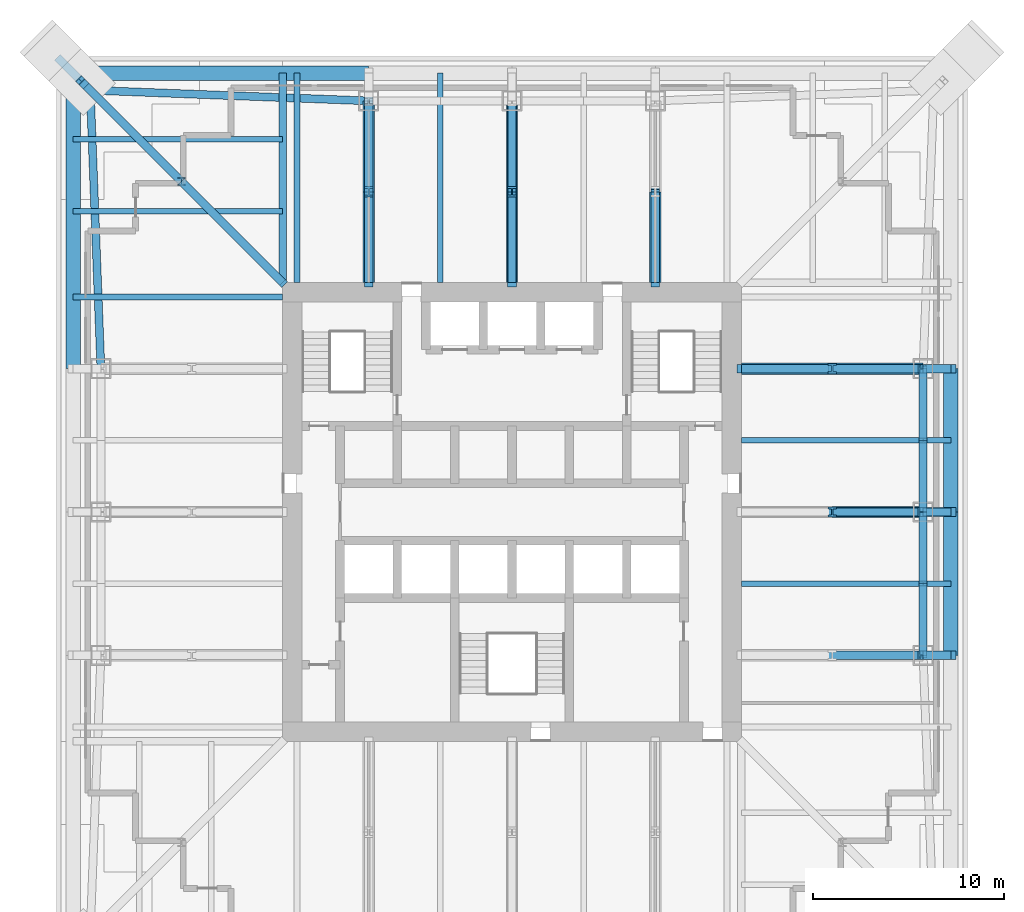
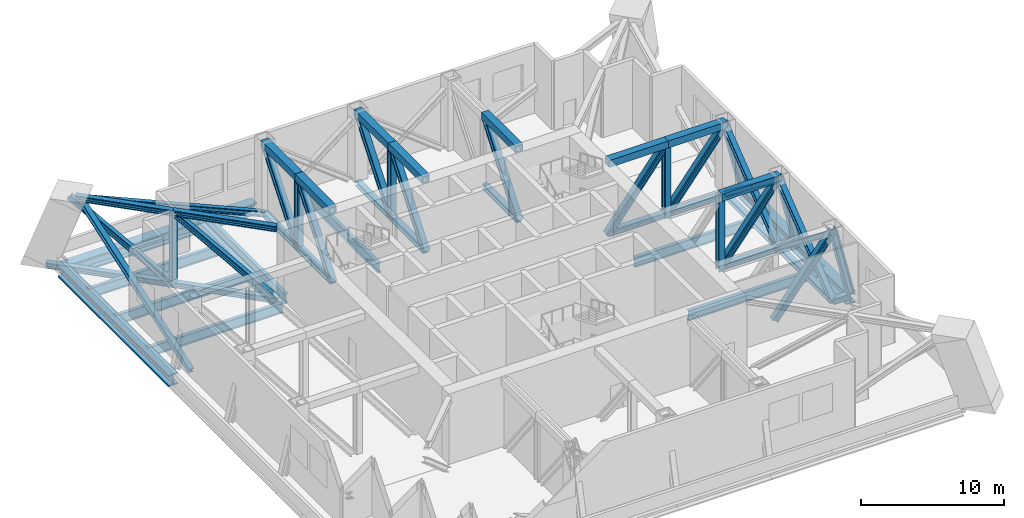
# One storey, part 3 of 8: 54 members, 12 beams.
"""IFC4 building model written with IfcOpenShell, lengths in metres."""

from ifc_helpers import new_model, si_unit, direction, frame, origin, origin_2d, place, context, subcontext, project, spatial, hollow_rectangle, i_section, extrude, clip, halfspace, material, material_profile, profile_set, type_object, element, save


model = new_model("IFC4")

# Units and contexts
model_context = context("Model", 3, precision=1e-05, world=origin(), true_north=direction((0.0, 1.0)))
body_context = subcontext(model_context, "Body", "Model", "MODEL_VIEW")
ifc_project = project(units=[si_unit("LENGTHUNIT", "METRE"), si_unit("AREAUNIT", "SQUARE_METRE"), si_unit("VOLUMEUNIT", "CUBIC_METRE"), si_unit("PLANEANGLEUNIT", "RADIAN"), si_unit("MASSUNIT", "GRAM", prefix="KILO")], contexts=[model_context])

# Site, building, storey
site_placement = place(None, origin())
site = spatial("IfcSite", under=ifc_project, at=site_placement, CompositionType="ELEMENT")
building_placement = place(site_placement, origin())
building = spatial("IfcBuilding", under=site, at=building_placement, Name="Tarangal Relay Tower", CompositionType="ELEMENT")
storey_placement = place(building_placement, frame((0.0, 0.0, 171.89990234375)))
storey = spatial("IfcBuildingStorey", under=building, at=storey_placement, Name="L35", CompositionType="ELEMENT", Elevation=171.89990234375)

# Members
ifc_material_1 = material(Name="Steel ASTM A992", Category="steel")
ifc_material_profile_1 = material_profile(ifc_material_1, i_section(OverallWidth=0.41162109375, OverallDepth=0.434326171875, WebThickness=0.035888671875, FlangeThickness=0.057373046875, at=origin_2d()), Name="W14X311")
ifc_profile_set_1 = profile_set([ifc_material_profile_1], Name="Steel ASTM A992")
member_type_1 = type_object("IfcMemberType", Name="Belt truss brace W14X311", PredefinedType="BRACE", material=ifc_profile_set_1)
member_1_placement = place(storey_placement, frame((-7.5, 21.514892578125, -0.4912109375), z_axis=(-0.922635583131, 0.03539469011, 0.384045305469), x_axis=(-0.038334391708, -0.999264967069, 0.0)))
element("IfcMember", 1, at=member_1_placement, inside=storey, type_object=member_type_1, Name="Belt truss N L35 end brace", PredefinedType="BRACE", context=body_context, shape_type="SweptSolid", body=[
    extrude(i_section(OverallWidth=0.41162109375, OverallDepth=0.434326171875, WebThickness=0.035888671875, FlangeThickness=0.057373046875, at=origin_2d()), origin(), (0.0, 0.0, 1.0), 15.11962890625),
])
for number, where, z_axis, x_axis, name in (
    (2, (21.514892578125, 7.5, -0.4912109375), (0.0, -0.790714061524, 0.612185652321), (1.0, 0.0, 0.0), "Belt truss E L35 brace"),
    (3, (21.514892578125, 3.75, 2.412109375), (0.0, -0.790714061524, 0.612185652321), (1.0, 0.0, 0.0), "Belt truss E L35 brace"),
    (4, (21.514892578125, 0.0, -0.4912109375), (0.0, 0.790714061524, 0.612185652321), (-1.0, 0.0, 0.0), "Belt truss E L35 brace"),
    (5, (21.514892578125, 3.75, 2.412109375), (0.0, 0.790714061524, 0.612185652321), (-1.0, 0.0, 0.0), "Belt truss E L35 brace"),
    (6, (21.514892578125, 0.0, -0.4912109375), (0.0, -0.790714061524, 0.612185652321), (1.0, 0.0, 0.0), "Belt truss E L35 brace"),
    (7, (21.514892578125, -3.75, 2.412109375), (0.0, -0.790714061524, 0.612185652321), (1.0, 0.0, 0.0), "Belt truss E L35 brace"),
    (8, (21.514892578125, -7.5, -0.4912109375), (0.0, 0.790714061524, 0.612185652321), (-1.0, 0.0, 0.0), "Belt truss E L35 brace"),
    (9, (21.514892578125, -3.75, 2.412109375), (0.0, 0.790714061524, 0.612185652321), (-1.0, 0.0, 0.0), "Belt truss E L35 brace"),
):
    element("IfcMember", number, at=place(storey_placement, frame(where, z_axis=z_axis, x_axis=x_axis)), inside=storey, type_object=member_type_1, Name=name, PredefinedType="BRACE", context=body_context, shape_type="SweptSolid", body=[
        extrude(i_section(OverallWidth=0.41162109375, OverallDepth=0.434326171875, WebThickness=0.035888671875, FlangeThickness=0.057373046875, at=origin_2d()), origin(), (0.0, 0.0, 1.0), 4.742431640625),
    ])
member_2_placement = place(storey_placement, frame((-21.514892578125, 7.5, -0.4912109375), z_axis=(-0.03539469011, 0.922635583131, 0.384045305469), x_axis=(-0.999264967069, -0.038334391708, 0.0)))
element("IfcMember", 10, at=member_2_placement, inside=storey, type_object=member_type_1, Name="Belt truss W L35 end brace", PredefinedType="BRACE", context=body_context, shape_type="SweptSolid", body=[
    extrude(i_section(OverallWidth=0.41162109375, OverallDepth=0.434326171875, WebThickness=0.035888671875, FlangeThickness=0.057373046875, at=origin_2d()), origin(), (0.0, 0.0, 1.0), 15.11962890625),
])
ifc_material_profile_2 = material_profile(ifc_material_1, i_section(OverallWidth=0.41650390625, OverallDepth=0.444580078125, WebThickness=0.0390625, FlangeThickness=0.062744140625, at=origin_2d()), Name="W14X342")
ifc_profile_set_2 = profile_set([ifc_material_profile_2], Name="Steel ASTM A992")
member_type_2 = type_object("IfcMemberType", Name="Belt truss chord W14X342", PredefinedType="CHORD", material=ifc_profile_set_2)
for number, where, z_axis, x_axis, name in (
    (11, (21.514892578125, 7.5, -0.4912109375), (0.0, -1.0, 0.0), (1.0, 0.0, 0.0), "Belt truss E L35 bottom chord"),
    (12, (21.514892578125, 0.0, -0.4912109375), (0.0, -1.0, 0.0), (1.0, 0.0, 0.0), "Belt truss E L35 bottom chord"),
):
    element("IfcMember", number, at=place(storey_placement, frame(where, z_axis=z_axis, x_axis=x_axis)), inside=storey, type_object=member_type_2, Name=name, PredefinedType="CHORD", context=body_context, shape_type="SweptSolid", body=[
        extrude(i_section(OverallWidth=0.41650390625, OverallDepth=0.444580078125, WebThickness=0.0390625, FlangeThickness=0.062744140625, at=origin_2d()), origin(), (0.0, 0.0, 1.0), 7.5),
    ])

# Beams
ifc_material_profile_3 = material_profile(ifc_material_1, i_section(OverallWidth=0.2919921875, OverallDepth=0.8408203125, WebThickness=0.0146484375, FlangeThickness=0.021728515625, at=origin_2d()), Name="W33X130")
ifc_profile_set_3 = profile_set([ifc_material_profile_3], Name="Steel ASTM A992")
beam_type_1 = type_object("IfcBeamType", Name="Corner beam W33X130", PredefinedType="JOIST", material=ifc_profile_set_3)
for number, where, z_axis, x_axis, name in (
    (13, (-12.0, 15.75, -0.67041015625), (-1.0, 0.0, 0.0), (0.0, -1.0, 0.0), "Corner beam CB2 W L35"),
    (14, (-12.0, 19.5, -0.67041015625), (-1.0, 0.0, 0.0), (0.0, -1.0, 0.0), "Corner beam CB2 W L35"),
):
    element("IfcBeam", number, at=place(storey_placement, frame(where, z_axis=z_axis, x_axis=x_axis)), inside=storey, type_object=beam_type_1, Name=name, PredefinedType="JOIST", context=body_context, shape_type="SweptSolid", body=[
        extrude(i_section(OverallWidth=0.2919921875, OverallDepth=0.8408203125, WebThickness=0.0146484375, FlangeThickness=0.021728515625, at=origin_2d()), origin(), (0.0, 0.0, 1.0), 10.965087890625),
    ])
ifc_material_profile_4 = material_profile(ifc_material_1, i_section(OverallWidth=0.4013671875, OverallDepth=1.01611328125, WebThickness=0.02099609375, FlangeThickness=0.0400390625, at=origin_2d()), Name="W40X277")
ifc_profile_set_4 = profile_set([ifc_material_profile_4], Name="Steel ASTM A992")
beam_type_2 = type_object("IfcBeamType", Name="Corner girder W40X277", PredefinedType="BEAM", material=ifc_profile_set_4)
beam_1_placement = place(storey_placement, frame((-12.0, 12.0, -0.7578125), z_axis=(0.0, 1.0, 0.0), x_axis=(-1.0, 0.0, 0.0)))
element("IfcBeam", 15, at=beam_1_placement, inside=storey, type_object=beam_type_2, Name="Corner girder CG3 W L35", PredefinedType="BEAM", context=body_context, shape_type="SweptSolid", body=[
    extrude(i_section(OverallWidth=0.4013671875, OverallDepth=1.01611328125, WebThickness=0.02099609375, FlangeThickness=0.0400390625, at=origin_2d()), origin(), (0.0, 0.0, 1.0), 10.965087890625),
])
ifc_material_2 = material(Name="Steel ASTM A572 Grade 42", Category="steel")
ifc_material_profile_5 = material_profile(ifc_material_2, i_section(OverallWidth=0.75, OverallDepth=1.0, WebThickness=0.030029296875, FlangeThickness=0.110107421875, at=origin_2d()), Name="PG1000X750X110X30")
ifc_profile_set_5 = profile_set([ifc_material_profile_5], Name="Steel ASTM A572 Grade 42")
beam_type_3 = type_object("IfcBeamType", Name="Edge girder PG1000X750X110X30", PredefinedType="SPANDREL", material=ifc_profile_set_5)
beam_2_placement = place(storey_placement, frame((-22.949951171875, 22.965087890625, -0.75), z_axis=(1.0, 0.0, 0.0), x_axis=(0.0, 1.0, 0.0)))
element("IfcBeam", 16, at=beam_2_placement, inside=storey, type_object=beam_type_3, Name="Edge girder EG12 N L35", PredefinedType="SPANDREL", context=body_context, shape_type="SweptSolid", body=[
    extrude(i_section(OverallWidth=0.75, OverallDepth=1.0, WebThickness=0.030029296875, FlangeThickness=0.110107421875, at=origin_2d()), origin(), (0.0, 0.0, 1.0), 15.449951171875),
])
for number, where, z_axis, x_axis, name in (
    (17, (22.965087890625, 7.5, -0.75), (0.0, -1.0, 0.0), (1.0, 0.0, 0.0), "Edge girder EG12 E L35"),
    (18, (22.965087890625, 0.0, -0.75), (0.0, -1.0, 0.0), (1.0, 0.0, 0.0), "Edge girder EG12 E L35"),
):
    element("IfcBeam", number, at=place(storey_placement, frame(where, z_axis=z_axis, x_axis=x_axis)), inside=storey, type_object=beam_type_3, Name=name, PredefinedType="SPANDREL", context=body_context, shape_type="SweptSolid", body=[
        extrude(i_section(OverallWidth=0.75, OverallDepth=1.0, WebThickness=0.030029296875, FlangeThickness=0.110107421875, at=origin_2d()), origin(), (0.0, 0.0, 1.0), 7.5),
    ])
beam_3_placement = place(storey_placement, frame((-22.965087890625, 7.5, -0.75), z_axis=(0.0, 1.0, 0.0), x_axis=(-1.0, 0.0, 0.0)))
element("IfcBeam", 19, at=beam_3_placement, inside=storey, type_object=beam_type_3, Name="Edge girder EG12 W L35", PredefinedType="SPANDREL", context=body_context, shape_type="SweptSolid", body=[
    extrude(i_section(OverallWidth=0.75, OverallDepth=1.0, WebThickness=0.030029296875, FlangeThickness=0.110107421875, at=origin_2d()), origin(), (0.0, 0.0, 1.0), 15.449951171875),
])
ifc_material_profile_6 = material_profile(ifc_material_1, i_section(OverallWidth=0.2919921875, OverallDepth=0.8408203125, WebThickness=0.0146484375, FlangeThickness=0.021728515625, at=origin_2d()), Name="W33X130")
ifc_profile_set_6 = profile_set([ifc_material_profile_6], Name="Steel ASTM A992")
beam_type_4 = type_object("IfcBeamType", Name="Floor beam W33X130", PredefinedType="BEAM", material=ifc_profile_set_6)
for number, where, z_axis, x_axis, name in (
    (20, (-11.25, 12.0, -0.67041015625), (0.0, 1.0, 0.0), (-1.0, 0.0, 0.0), "Floor beam RB2 N L35"),
    (21, (-3.75, 12.0, -0.67041015625), (0.0, 1.0, 0.0), (-1.0, 0.0, 0.0), "Floor beam RB2 N L35"),
    (22, (12.0, 3.75, -0.67041015625), (1.0, 0.0, 0.0), (0.0, 1.0, 0.0), "Floor beam RB2 E L35"),
    (23, (12.0, -3.75, -0.67041015625), (1.0, 0.0, 0.0), (0.0, 1.0, 0.0), "Floor beam RB2 E L35"),
    (24, (-12.0, 11.25, -0.67041015625), (-1.0, 0.0, 0.0), (0.0, -1.0, 0.0), "Floor beam RB2 W L35"),
):
    element("IfcBeam", number, at=place(storey_placement, frame(where, z_axis=z_axis, x_axis=x_axis)), inside=storey, type_object=beam_type_4, Name=name, PredefinedType="BEAM", context=body_context, shape_type="SweptSolid", body=[
        extrude(i_section(OverallWidth=0.2919921875, OverallDepth=0.8408203125, WebThickness=0.0146484375, FlangeThickness=0.021728515625, at=origin_2d()), origin(), (0.0, 0.0, 1.0), 10.965087890625),
    ])

# Members
ifc_material_profile_7 = material_profile(ifc_material_1, i_section(OverallWidth=0.421630859375, OverallDepth=0.46484375, WebThickness=0.044921875, FlangeThickness=0.072509765625, at=origin_2d()), Name="W14X398")
ifc_profile_set_7 = profile_set([ifc_material_profile_7], Name="Steel ASTM A992")
member_type_3 = type_object("IfcMemberType", Name="Outrigger chord W14X398", PredefinedType="CHORD", material=ifc_profile_set_7)
member_3_placement = place(storey_placement, frame((-12.0, 12.0, -0.482421875), z_axis=(-0.707106781187, 0.707106781187, 0.0), x_axis=(-0.707106781187, -0.707106781187, 0.0)))
element("IfcMember", 25, at=member_3_placement, inside=storey, type_object=member_type_3, Name="Outrigger NW L35 bottom chord", PredefinedType="CHORD", context=body_context, shape_type="SweptSolid", body=[
    extrude(i_section(OverallWidth=0.421630859375, OverallDepth=0.46484375, WebThickness=0.044921875, FlangeThickness=0.072509765625, at=origin_2d()), origin(), (0.0, 0.0, 1.0), 7.4921875),
])
member_4_placement = place(storey_placement, frame((-17.2978515625, 17.2978515625, -0.482421875), z_axis=(-0.707106781187, 0.707106781187, 0.0), x_axis=(-0.707106781187, -0.707106781187, 0.0)))
element("IfcMember", 26, at=member_4_placement, inside=storey, type_object=member_type_3, Name="Outrigger NW L35 bottom chord", PredefinedType="CHORD", context=body_context, shape_type="Clipping", body=[
    clip(extrude(i_section(OverallWidth=0.421630859375, OverallDepth=0.46484375, WebThickness=0.044921875, FlangeThickness=0.072509765625, at=origin_2d()), origin(), (0.0, 0.0, 1.0), 9.478271484375), halfspace(frame((0.0, 0.0, 9.1826171875)), False)),
])
member_5_placement = place(storey_placement, frame((-12.0, 12.0, 5.61767578125), z_axis=(-0.707106781187, 0.707106781187, 0.0), x_axis=(-0.707106781187, -0.707106781187, 0.0)))
element("IfcMember", 27, at=member_5_placement, inside=storey, type_object=member_type_3, Name="Outrigger NW L35 top chord", PredefinedType="CHORD", context=body_context, shape_type="SweptSolid", body=[
    extrude(i_section(OverallWidth=0.421630859375, OverallDepth=0.46484375, WebThickness=0.044921875, FlangeThickness=0.072509765625, at=origin_2d()), origin(), (0.0, 0.0, 1.0), 7.4921875),
])
member_6_placement = place(storey_placement, frame((-17.2978515625, 17.2978515625, 5.61767578125), z_axis=(-0.707106781187, 0.707106781187, 0.0), x_axis=(-0.707106781187, -0.707106781187, 0.0)))
element("IfcMember", 28, at=member_6_placement, inside=storey, type_object=member_type_3, Name="Outrigger NW L35 top chord", PredefinedType="CHORD", context=body_context, shape_type="Clipping", body=[
    clip(extrude(i_section(OverallWidth=0.421630859375, OverallDepth=0.46484375, WebThickness=0.044921875, FlangeThickness=0.072509765625, at=origin_2d()), origin(), (0.0, 0.0, 1.0), 7.4921875), halfspace(frame((0.0, 0.0, 7.061279296875)), False)),
])
ifc_material_profile_8 = material_profile(ifc_material_1, i_section(OverallWidth=0.408935546875, OverallDepth=0.42431640625, WebThickness=0.03271484375, FlangeThickness=0.052490234375, at=origin_2d()), Name="W14X283")
ifc_profile_set_8 = profile_set([ifc_material_profile_8], Name="Steel ASTM A992")
member_type_4 = type_object("IfcMemberType", Name="Outrigger web W14X283", PredefinedType="STRUT", material=ifc_profile_set_8)
member_7_placement = place(storey_placement, frame((-17.2978515625, 17.2978515625, -0.482421875), z_axis=(0.0, 0.0, 1.0), x_axis=(1.0, 0.0, 0.0)))
element("IfcMember", 29, at=member_7_placement, inside=storey, type_object=member_type_4, Name="Outrigger NW L35 vertical", PredefinedType="STRUT", context=body_context, shape_type="SweptSolid", body=[
    extrude(i_section(OverallWidth=0.408935546875, OverallDepth=0.42431640625, WebThickness=0.03271484375, FlangeThickness=0.052490234375, at=origin_2d()), origin(), (0.0, 0.0, 1.0), 6.10009765625),
])
for number, where, z_axis, x_axis, name in (
    (30, (-12.0, 12.0, -0.482421875), (-0.548343544499, 0.548343544499, 0.631378424095), (-0.707106781187, -0.707106781187, 0.0), "Outrigger NW L35 diagonal"),
    (31, (-17.2978515625, 17.2978515625, -0.482421875), (-0.548343544499, 0.548343544499, 0.631378424095), (-0.707106781187, -0.707106781187, 0.0), "Outrigger NW L35 diagonal"),
):
    element("IfcMember", number, at=place(storey_placement, frame(where, z_axis=z_axis, x_axis=x_axis)), inside=storey, type_object=member_type_4, Name=name, PredefinedType="STRUT", context=body_context, shape_type="SweptSolid", body=[
        extrude(i_section(OverallWidth=0.408935546875, OverallDepth=0.42431640625, WebThickness=0.03271484375, FlangeThickness=0.052490234375, at=origin_2d()), origin(), (0.0, 0.0, 1.0), 9.66162109375),
    ])
ifc_material_profile_9 = material_profile(ifc_material_1, i_section(OverallWidth=0.4267578125, OverallDepth=0.482666015625, WebThickness=0.05126953125, FlangeThickness=0.08154296875, at=origin_2d()), Name="W14X455")
ifc_profile_set_9 = profile_set([ifc_material_profile_9], Name="Steel ASTM A992")
member_type_5 = type_object("IfcMemberType", Name="Transfer truss chord W14X455", PredefinedType="CHORD", material=ifc_profile_set_9)
member_8_placement = place(storey_placement, frame((-7.5, 12.0, -0.4912109375), z_axis=(0.0, 1.0, 0.0), x_axis=(-1.0, 0.0, 0.0)))
element("IfcMember", 32, at=member_8_placement, inside=storey, type_object=member_type_5, Name="Transfer truss N -7.5 L35 bottom chord", PredefinedType="CHORD", context=body_context, shape_type="SweptSolid", body=[
    extrude(i_section(OverallWidth=0.4267578125, OverallDepth=0.482666015625, WebThickness=0.05126953125, FlangeThickness=0.08154296875, at=origin_2d()), origin(), (0.0, 0.0, 1.0), 4.757568359375),
])
member_9_placement = place(storey_placement, frame((-7.5, 16.757568359375, -0.4912109375), z_axis=(0.0, 1.0, 0.0), x_axis=(-1.0, 0.0, 0.0)))
element("IfcMember", 33, at=member_9_placement, inside=storey, type_object=member_type_5, Name="Transfer truss N -7.5 L35 bottom chord", PredefinedType="CHORD", context=body_context, shape_type="SweptSolid", body=[
    extrude(i_section(OverallWidth=0.4267578125, OverallDepth=0.482666015625, WebThickness=0.05126953125, FlangeThickness=0.08154296875, at=origin_2d()), origin(), (0.0, 0.0, 1.0), 4.75732421875),
])
member_10_placement = place(storey_placement, frame((0.0, 12.0, -0.4912109375), z_axis=(0.0, 1.0, 0.0), x_axis=(-1.0, 0.0, 0.0)))
element("IfcMember", 34, at=member_10_placement, inside=storey, type_object=member_type_5, Name="Transfer truss N +0.0 L35 bottom chord", PredefinedType="CHORD", context=body_context, shape_type="SweptSolid", body=[
    extrude(i_section(OverallWidth=0.4267578125, OverallDepth=0.482666015625, WebThickness=0.05126953125, FlangeThickness=0.08154296875, at=origin_2d()), origin(), (0.0, 0.0, 1.0), 4.757568359375),
])
member_11_placement = place(storey_placement, frame((0.0, 16.757568359375, -0.4912109375), z_axis=(0.0, 1.0, 0.0), x_axis=(-1.0, 0.0, 0.0)))
element("IfcMember", 35, at=member_11_placement, inside=storey, type_object=member_type_5, Name="Transfer truss N +0.0 L35 bottom chord", PredefinedType="CHORD", context=body_context, shape_type="SweptSolid", body=[
    extrude(i_section(OverallWidth=0.4267578125, OverallDepth=0.482666015625, WebThickness=0.05126953125, FlangeThickness=0.08154296875, at=origin_2d()), origin(), (0.0, 0.0, 1.0), 4.75732421875),
])
for number, where, z_axis, x_axis, name in (
    (36, (7.5, 12.0, -0.4912109375), (0.0, 1.0, 0.0), (-1.0, 0.0, 0.0), "Transfer truss N +7.5 L35 bottom chord"),
    (37, (12.0, 7.5, -0.4912109375), (1.0, 0.0, 0.0), (0.0, 1.0, 0.0), "Transfer truss E -7.5 L35 bottom chord"),
):
    element("IfcMember", number, at=place(storey_placement, frame(where, z_axis=z_axis, x_axis=x_axis)), inside=storey, type_object=member_type_5, Name=name, PredefinedType="CHORD", context=body_context, shape_type="SweptSolid", body=[
        extrude(i_section(OverallWidth=0.4267578125, OverallDepth=0.482666015625, WebThickness=0.05126953125, FlangeThickness=0.08154296875, at=origin_2d()), origin(), (0.0, 0.0, 1.0), 4.757568359375),
    ])
member_12_placement = place(storey_placement, frame((16.757568359375, 7.5, -0.4912109375), z_axis=(1.0, 0.0, 0.0), x_axis=(0.0, 1.0, 0.0)))
element("IfcMember", 38, at=member_12_placement, inside=storey, type_object=member_type_5, Name="Transfer truss E -7.5 L35 bottom chord", PredefinedType="CHORD", context=body_context, shape_type="SweptSolid", body=[
    extrude(i_section(OverallWidth=0.4267578125, OverallDepth=0.482666015625, WebThickness=0.05126953125, FlangeThickness=0.08154296875, at=origin_2d()), origin(), (0.0, 0.0, 1.0), 4.75732421875),
])
member_13_placement = place(storey_placement, frame((21.514892578125, 7.5, -0.4912109375), z_axis=(1.0, 0.0, 0.0), x_axis=(0.0, 1.0, 0.0)))
element("IfcMember", 39, at=member_13_placement, inside=storey, type_object=member_type_5, Name="Transfer truss E -7.5 L35 bottom chord", PredefinedType="CHORD", context=body_context, shape_type="SweptSolid", body=[
    extrude(i_section(OverallWidth=0.4267578125, OverallDepth=0.482666015625, WebThickness=0.05126953125, FlangeThickness=0.08154296875, at=origin_2d()), origin(), (0.0, 0.0, 1.0), 1.4501953125),
])
member_14_placement = place(storey_placement, frame((16.757568359375, 0.0, -0.4912109375), z_axis=(1.0, 0.0, 0.0), x_axis=(0.0, 1.0, 0.0)))
element("IfcMember", 40, at=member_14_placement, inside=storey, type_object=member_type_5, Name="Transfer truss E +0.0 L35 bottom chord", PredefinedType="CHORD", context=body_context, shape_type="SweptSolid", body=[
    extrude(i_section(OverallWidth=0.4267578125, OverallDepth=0.482666015625, WebThickness=0.05126953125, FlangeThickness=0.08154296875, at=origin_2d()), origin(), (0.0, 0.0, 1.0), 4.75732421875),
])
for number, where, z_axis, x_axis, name in (
    (41, (21.514892578125, 0.0, -0.4912109375), (1.0, 0.0, 0.0), (0.0, 1.0, 0.0), "Transfer truss E +0.0 L35 bottom chord"),
    (42, (21.514892578125, -7.5, -0.4912109375), (1.0, 0.0, 0.0), (0.0, 1.0, 0.0), "Transfer truss E +7.5 L35 bottom chord"),
):
    element("IfcMember", number, at=place(storey_placement, frame(where, z_axis=z_axis, x_axis=x_axis)), inside=storey, type_object=member_type_5, Name=name, PredefinedType="CHORD", context=body_context, shape_type="SweptSolid", body=[
        extrude(i_section(OverallWidth=0.4267578125, OverallDepth=0.482666015625, WebThickness=0.05126953125, FlangeThickness=0.08154296875, at=origin_2d()), origin(), (0.0, 0.0, 1.0), 1.4501953125),
    ])
ifc_material_3 = material(Name="Steel ASTM A572 Grade 50", Category="steel")
ifc_material_profile_10 = material_profile(ifc_material_3, hollow_rectangle(XDim=0.60009765625, YDim=0.60009765625, WallThickness=0.070068359375, at=origin_2d()), Name="BOX600X600X70")
ifc_profile_set_10 = profile_set([ifc_material_profile_10], Name="Steel ASTM A572 Grade 50")
member_type_6 = type_object("IfcMemberType", Name="Transfer truss top chord BOX600X600X70", PredefinedType="CHORD", material=ifc_profile_set_10)
member_15_placement = place(storey_placement, frame((-7.5, 12.0, 5.550048828125), z_axis=(0.0, 1.0, 0.0), x_axis=(-1.0, 0.0, 0.0)))
element("IfcMember", 43, at=member_15_placement, inside=storey, type_object=member_type_6, Name="Transfer truss N -7.5 L35 top chord", PredefinedType="CHORD", context=body_context, shape_type="SweptSolid", body=[
    extrude(hollow_rectangle(XDim=0.60009765625, YDim=0.60009765625, WallThickness=0.070068359375, at=origin_2d()), origin(), (0.0, 0.0, 1.0), 4.757568359375),
])
member_16_placement = place(storey_placement, frame((-7.5, 16.757568359375, 5.550048828125), z_axis=(0.0, 1.0, 0.0), x_axis=(-1.0, 0.0, 0.0)))
element("IfcMember", 44, at=member_16_placement, inside=storey, type_object=member_type_6, Name="Transfer truss N -7.5 L35 top chord", PredefinedType="CHORD", context=body_context, shape_type="SweptSolid", body=[
    extrude(hollow_rectangle(XDim=0.60009765625, YDim=0.60009765625, WallThickness=0.070068359375, at=origin_2d()), origin(), (0.0, 0.0, 1.0), 4.75732421875),
])
member_17_placement = place(storey_placement, frame((0.0, 12.0, 5.550048828125), z_axis=(0.0, 1.0, 0.0), x_axis=(-1.0, 0.0, 0.0)))
element("IfcMember", 45, at=member_17_placement, inside=storey, type_object=member_type_6, Name="Transfer truss N +0.0 L35 top chord", PredefinedType="CHORD", context=body_context, shape_type="SweptSolid", body=[
    extrude(hollow_rectangle(XDim=0.60009765625, YDim=0.60009765625, WallThickness=0.070068359375, at=origin_2d()), origin(), (0.0, 0.0, 1.0), 4.757568359375),
])
member_18_placement = place(storey_placement, frame((0.0, 16.757568359375, 5.550048828125), z_axis=(0.0, 1.0, 0.0), x_axis=(-1.0, 0.0, 0.0)))
element("IfcMember", 46, at=member_18_placement, inside=storey, type_object=member_type_6, Name="Transfer truss N +0.0 L35 top chord", PredefinedType="CHORD", context=body_context, shape_type="SweptSolid", body=[
    extrude(hollow_rectangle(XDim=0.60009765625, YDim=0.60009765625, WallThickness=0.070068359375, at=origin_2d()), origin(), (0.0, 0.0, 1.0), 4.75732421875),
])
for number, where, z_axis, x_axis, name in (
    (47, (7.5, 12.0, 5.550048828125), (0.0, 1.0, 0.0), (-1.0, 0.0, 0.0), "Transfer truss N +7.5 L35 top chord"),
    (48, (12.0, 7.5, 5.550048828125), (1.0, 0.0, 0.0), (0.0, 1.0, 0.0), "Transfer truss E -7.5 L35 top chord"),
):
    element("IfcMember", number, at=place(storey_placement, frame(where, z_axis=z_axis, x_axis=x_axis)), inside=storey, type_object=member_type_6, Name=name, PredefinedType="CHORD", context=body_context, shape_type="SweptSolid", body=[
        extrude(hollow_rectangle(XDim=0.60009765625, YDim=0.60009765625, WallThickness=0.070068359375, at=origin_2d()), origin(), (0.0, 0.0, 1.0), 4.757568359375),
    ])
for number, where, z_axis, x_axis, name in (
    (49, (16.757568359375, 7.5, 5.550048828125), (1.0, 0.0, 0.0), (0.0, 1.0, 0.0), "Transfer truss E -7.5 L35 top chord"),
    (50, (16.757568359375, 0.0, 5.550048828125), (1.0, 0.0, 0.0), (0.0, 1.0, 0.0), "Transfer truss E +0.0 L35 top chord"),
):
    element("IfcMember", number, at=place(storey_placement, frame(where, z_axis=z_axis, x_axis=x_axis)), inside=storey, type_object=member_type_6, Name=name, PredefinedType="CHORD", context=body_context, shape_type="SweptSolid", body=[
        extrude(hollow_rectangle(XDim=0.60009765625, YDim=0.60009765625, WallThickness=0.070068359375, at=origin_2d()), origin(), (0.0, 0.0, 1.0), 4.75732421875),
    ])
ifc_material_profile_11 = material_profile(ifc_material_1, i_section(OverallWidth=0.44970703125, OverallDepth=0.548583984375, WebThickness=0.072021484375, FlangeThickness=0.11474609375, at=origin_2d()), Name="W14X665")
ifc_profile_set_11 = profile_set([ifc_material_profile_11], Name="Steel ASTM A992")
member_type_7 = type_object("IfcMemberType", Name="Transfer truss web W14X665", PredefinedType="STRUT", material=ifc_profile_set_11)
member_19_placement = place(storey_placement, frame((-7.5, 16.757568359375, -0.732421875), z_axis=(0.0, 0.0, 1.0), x_axis=(1.0, 0.0, 0.0)))
element("IfcMember", 51, at=member_19_placement, inside=storey, type_object=member_type_7, Name="Transfer truss N -7.5 L35 vertical", PredefinedType="STRUT", context=body_context, shape_type="SweptSolid", body=[
    extrude(i_section(OverallWidth=0.44970703125, OverallDepth=0.548583984375, WebThickness=0.072021484375, FlangeThickness=0.11474609375, at=origin_2d()), origin(), (0.0, 0.0, 1.0), 6.282470703125),
])
member_20_placement = place(storey_placement, frame((-7.5, 12.0, -0.589599609375), z_axis=(0.0, 0.612518642987, 0.790456141727), x_axis=(-1.0, 0.0, 0.0)))
element("IfcMember", 52, at=member_20_placement, inside=storey, type_object=member_type_7, Name="Transfer truss N -7.5 L35 diagonal", PredefinedType="STRUT", context=body_context, shape_type="SweptSolid", body=[
    extrude(i_section(OverallWidth=0.44970703125, OverallDepth=0.548583984375, WebThickness=0.072021484375, FlangeThickness=0.11474609375, at=origin_2d()), origin(), (0.0, 0.0, 1.0), 7.767333984375),
])
member_21_placement = place(storey_placement, frame((-7.5, 16.757568359375, -0.4912109375), z_axis=(0.0, 0.618675124983, 0.785646924341), x_axis=(-1.0, 0.0, 0.0)))
element("IfcMember", 53, at=member_21_placement, inside=storey, type_object=member_type_7, Name="Transfer truss N -7.5 L35 diagonal", PredefinedType="STRUT", context=body_context, shape_type="SweptSolid", body=[
    extrude(i_section(OverallWidth=0.44970703125, OverallDepth=0.548583984375, WebThickness=0.072021484375, FlangeThickness=0.11474609375, at=origin_2d()), origin(), (0.0, 0.0, 1.0), 7.689453125),
])
member_22_placement = place(storey_placement, frame((0.0, 16.757568359375, -0.732421875), z_axis=(0.0, 0.0, 1.0), x_axis=(1.0, 0.0, 0.0)))
element("IfcMember", 54, at=member_22_placement, inside=storey, type_object=member_type_7, Name="Transfer truss N +0.0 L35 vertical", PredefinedType="STRUT", context=body_context, shape_type="SweptSolid", body=[
    extrude(i_section(OverallWidth=0.44970703125, OverallDepth=0.548583984375, WebThickness=0.072021484375, FlangeThickness=0.11474609375, at=origin_2d()), origin(), (0.0, 0.0, 1.0), 6.282470703125),
])
member_23_placement = place(storey_placement, frame((0.0, 12.0, -0.589599609375), z_axis=(0.0, 0.612518642987, 0.790456141727), x_axis=(-1.0, 0.0, 0.0)))
element("IfcMember", 55, at=member_23_placement, inside=storey, type_object=member_type_7, Name="Transfer truss N +0.0 L35 diagonal", PredefinedType="STRUT", context=body_context, shape_type="SweptSolid", body=[
    extrude(i_section(OverallWidth=0.44970703125, OverallDepth=0.548583984375, WebThickness=0.072021484375, FlangeThickness=0.11474609375, at=origin_2d()), origin(), (0.0, 0.0, 1.0), 7.767333984375),
])
member_24_placement = place(storey_placement, frame((0.0, 16.757568359375, -0.4912109375), z_axis=(0.0, 0.618675124983, 0.785646924341), x_axis=(-1.0, 0.0, 0.0)))
element("IfcMember", 56, at=member_24_placement, inside=storey, type_object=member_type_7, Name="Transfer truss N +0.0 L35 diagonal", PredefinedType="STRUT", context=body_context, shape_type="SweptSolid", body=[
    extrude(i_section(OverallWidth=0.44970703125, OverallDepth=0.548583984375, WebThickness=0.072021484375, FlangeThickness=0.11474609375, at=origin_2d()), origin(), (0.0, 0.0, 1.0), 7.689453125),
])
member_25_placement = place(storey_placement, frame((7.5, 12.0, -0.589599609375), z_axis=(0.0, 0.612518642987, 0.790456141727), x_axis=(-1.0, 0.0, 0.0)))
element("IfcMember", 57, at=member_25_placement, inside=storey, type_object=member_type_7, Name="Transfer truss N +7.5 L35 diagonal", PredefinedType="STRUT", context=body_context, shape_type="SweptSolid", body=[
    extrude(i_section(OverallWidth=0.44970703125, OverallDepth=0.548583984375, WebThickness=0.072021484375, FlangeThickness=0.11474609375, at=origin_2d()), origin(), (0.0, 0.0, 1.0), 7.767333984375),
])
member_26_placement = place(storey_placement, frame((16.757568359375, 7.5, -0.732421875), z_axis=(0.0, 0.0, 1.0), x_axis=(1.0, 0.0, 0.0)))
element("IfcMember", 58, at=member_26_placement, inside=storey, type_object=member_type_7, Name="Transfer truss E -7.5 L35 vertical", PredefinedType="STRUT", context=body_context, shape_type="SweptSolid", body=[
    extrude(i_section(OverallWidth=0.44970703125, OverallDepth=0.548583984375, WebThickness=0.072021484375, FlangeThickness=0.11474609375, at=origin_2d()), origin(), (0.0, 0.0, 1.0), 6.282470703125),
])
member_27_placement = place(storey_placement, frame((12.0, 7.5, -0.589599609375), z_axis=(0.612518642987, 0.0, 0.790456141727), x_axis=(0.0, 1.0, 0.0)))
element("IfcMember", 59, at=member_27_placement, inside=storey, type_object=member_type_7, Name="Transfer truss E -7.5 L35 diagonal", PredefinedType="STRUT", context=body_context, shape_type="SweptSolid", body=[
    extrude(i_section(OverallWidth=0.44970703125, OverallDepth=0.548583984375, WebThickness=0.072021484375, FlangeThickness=0.11474609375, at=origin_2d()), origin(), (0.0, 0.0, 1.0), 7.767333984375),
])
member_28_placement = place(storey_placement, frame((16.757568359375, 7.5, -0.4912109375), z_axis=(0.618675124983, 0.0, 0.785646924341), x_axis=(0.0, 1.0, 0.0)))
element("IfcMember", 60, at=member_28_placement, inside=storey, type_object=member_type_7, Name="Transfer truss E -7.5 L35 diagonal", PredefinedType="STRUT", context=body_context, shape_type="SweptSolid", body=[
    extrude(i_section(OverallWidth=0.44970703125, OverallDepth=0.548583984375, WebThickness=0.072021484375, FlangeThickness=0.11474609375, at=origin_2d()), origin(), (0.0, 0.0, 1.0), 7.689453125),
])
member_29_placement = place(storey_placement, frame((22.965087890625, 7.5, -0.4912109375), z_axis=(-0.233417539086, 0.0, 0.972376600113), x_axis=(0.0, -1.0, 0.0)))
element("IfcMember", 61, at=member_29_placement, inside=storey, type_object=member_type_7, Name="Transfer truss E -7.5 L35 end diagonal", PredefinedType="STRUT", context=body_context, shape_type="SweptSolid", body=[
    extrude(i_section(OverallWidth=0.44970703125, OverallDepth=0.548583984375, WebThickness=0.072021484375, FlangeThickness=0.11474609375, at=origin_2d()), origin(), (0.0, 0.0, 1.0), 6.212890625),
])
member_30_placement = place(storey_placement, frame((16.757568359375, 0.0, -0.732421875), z_axis=(0.0, 0.0, 1.0), x_axis=(1.0, 0.0, 0.0)))
element("IfcMember", 62, at=member_30_placement, inside=storey, type_object=member_type_7, Name="Transfer truss E +0.0 L35 vertical", PredefinedType="STRUT", context=body_context, shape_type="SweptSolid", body=[
    extrude(i_section(OverallWidth=0.44970703125, OverallDepth=0.548583984375, WebThickness=0.072021484375, FlangeThickness=0.11474609375, at=origin_2d()), origin(), (0.0, 0.0, 1.0), 6.282470703125),
])
member_31_placement = place(storey_placement, frame((16.757568359375, 0.0, -0.4912109375), z_axis=(0.618675124983, 0.0, 0.785646924341), x_axis=(0.0, 1.0, 0.0)))
element("IfcMember", 63, at=member_31_placement, inside=storey, type_object=member_type_7, Name="Transfer truss E +0.0 L35 diagonal", PredefinedType="STRUT", context=body_context, shape_type="SweptSolid", body=[
    extrude(i_section(OverallWidth=0.44970703125, OverallDepth=0.548583984375, WebThickness=0.072021484375, FlangeThickness=0.11474609375, at=origin_2d()), origin(), (0.0, 0.0, 1.0), 7.689453125),
])
member_32_placement = place(storey_placement, frame((22.965087890625, 0.0, -0.4912109375), z_axis=(-0.233417539086, 0.0, 0.972376600113), x_axis=(0.0, -1.0, 0.0)))
element("IfcMember", 64, at=member_32_placement, inside=storey, type_object=member_type_7, Name="Transfer truss E +0.0 L35 end diagonal", PredefinedType="STRUT", context=body_context, shape_type="SweptSolid", body=[
    extrude(i_section(OverallWidth=0.44970703125, OverallDepth=0.548583984375, WebThickness=0.072021484375, FlangeThickness=0.11474609375, at=origin_2d()), origin(), (0.0, 0.0, 1.0), 6.212890625),
])
member_33_placement = place(storey_placement, frame((16.757568359375, -7.5, -0.4912109375), z_axis=(0.618675124983, 0.0, 0.785646924341), x_axis=(0.0, 1.0, 0.0)))
element("IfcMember", 65, at=member_33_placement, inside=storey, type_object=member_type_7, Name="Transfer truss E +7.5 L35 diagonal", PredefinedType="STRUT", context=body_context, shape_type="SweptSolid", body=[
    extrude(i_section(OverallWidth=0.44970703125, OverallDepth=0.548583984375, WebThickness=0.072021484375, FlangeThickness=0.11474609375, at=origin_2d()), origin(), (0.0, 0.0, 1.0), 7.689453125),
])
member_34_placement = place(storey_placement, frame((22.965087890625, -7.5, -0.4912109375), z_axis=(-0.233417539086, 0.0, 0.972376600113), x_axis=(0.0, -1.0, 0.0)))
element("IfcMember", 66, at=member_34_placement, inside=storey, type_object=member_type_7, Name="Transfer truss E +7.5 L35 end diagonal", PredefinedType="STRUT", context=body_context, shape_type="SweptSolid", body=[
    extrude(i_section(OverallWidth=0.44970703125, OverallDepth=0.548583984375, WebThickness=0.072021484375, FlangeThickness=0.11474609375, at=origin_2d()), origin(), (0.0, 0.0, 1.0), 6.212890625),
])

save(model, "model.ifc")
